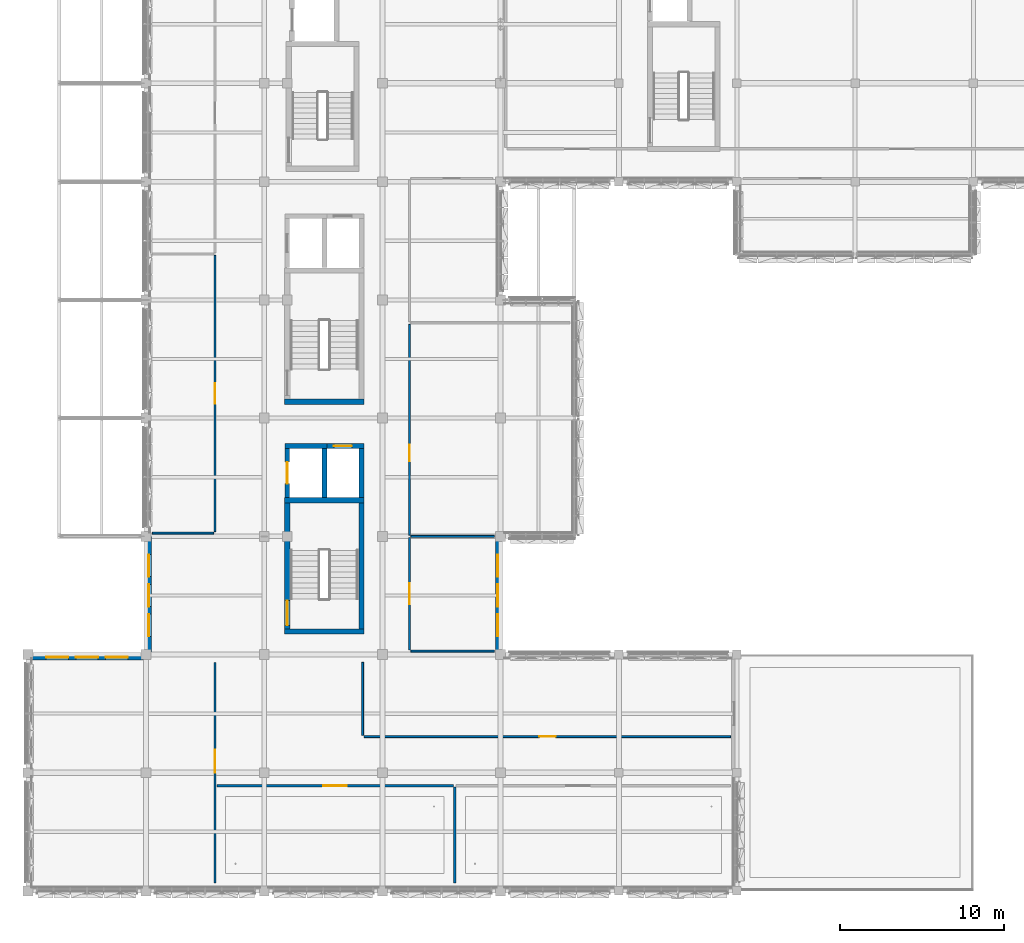
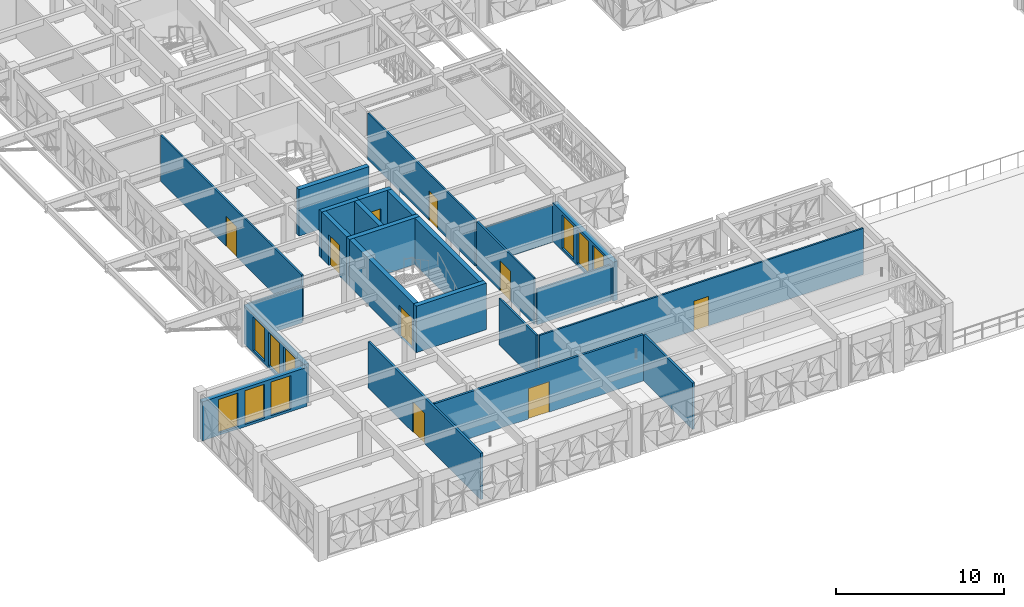
# One storey, part 50 of 99: 24 walls, 9 doors, 9 windows, 18 openings.
"""IFC4 building model written with IfcOpenShell, lengths in metres."""

from ifc_helpers import new_model, si_unit, direction, frame, frame_2d, origin, place, context, subcontext, project, spatial, rectangle, extrude, material, layer, layer_set, type_object, element, fill, save


model = new_model("IFC4")

# Units and contexts
model_context = context("Model", 3, precision=1e-05, world=origin(), true_north=direction((0.0, 1.0)))
body_context = subcontext(model_context, "Body", "Model", "MODEL_VIEW")
ifc_project = project(units=[si_unit("LENGTHUNIT", "METRE"), si_unit("AREAUNIT", "SQUARE_METRE"), si_unit("VOLUMEUNIT", "CUBIC_METRE"), si_unit("PLANEANGLEUNIT", "RADIAN"), si_unit("MASSUNIT", "GRAM", prefix="KILO")], contexts=[model_context])

# Site, building, storey
site_placement = place(None, origin())
site = spatial("IfcSite", under=ifc_project, at=site_placement, CompositionType="ELEMENT")
building_placement = place(site_placement, origin())
building = spatial("IfcBuilding", under=site, at=building_placement, Name="Alvorim Cloister Faculty of Sciences", CompositionType="ELEMENT")
storey_placement = place(building_placement, frame((0.0, 0.0, 12.14990234375)))
storey = spatial("IfcBuildingStorey", under=building, at=storey_placement, Name="L03", CompositionType="ELEMENT", Elevation=12.14990234375)

# Wall, openings, windows
ifc_material_1 = material(Name="Precast Concrete C40", Category="concrete")
ifc_layer_1 = layer(ifc_material_1, 0.320068359375)
ifc_layer_set_1 = layer_set([ifc_layer_1], Name="Precast Concrete C40")
wall_type_1 = type_object("IfcWallType", Name="WL-EXT-PC-320", PredefinedType="SOLIDWALL", material=ifc_layer_set_1)
wall_1_placement = place(storey_placement, frame((7.360107421875, 14.39990234375, 0.0), z_axis=(0.0, 0.0, 1.0), x_axis=(0.0, 1.0, 0.0)))
wall_1 = element("IfcWall", 1, at=wall_1_placement, inside=storey, type_object=wall_type_1, Name="L03 Exterior Wall WL-0192", PredefinedType="SOLIDWALL", context=body_context, shape_type="SweptSolid", body=[
    extrude(rectangle(XDim=7.2001953125, YDim=0.320068359375, at=frame_2d((3.60009765625, 0.0))), origin(), (0.0, 0.0, 1.0), 2.840087890625),
])
opening_1_placement = place(wall_1_placement, frame((1.112548828125, 0.0, 0.179931640625)))
opening_1 = element("IfcOpeningElement", 2, at=opening_1_placement, cuts=wall_1, Name="Opening W-18", PredefinedType="OPENING", context=body_context, shape_type="SweptSolid", body=[
    extrude(rectangle(XDim=1.35009765625, YDim=2.449951171875, at=frame_2d((0.675048828125, 1.22509765625))), frame((0.0, 0.171875, 0.0), z_axis=(0.0, -1.0, 0.0), x_axis=(1.0, 0.0, 0.0)), (0.0, 0.0, 1.0), 0.343994140625),
])
opening_2_placement = place(wall_1_placement, frame((2.925048828125, 0.0, 0.179931640625)))
opening_2 = element("IfcOpeningElement", 3, at=opening_2_placement, cuts=wall_1, Name="Opening W-18", PredefinedType="OPENING", context=body_context, shape_type="SweptSolid", body=[
    extrude(rectangle(XDim=1.35009765625, YDim=2.449951171875, at=frame_2d((0.675048828125, 1.22509765625))), frame((0.0, 0.171875, 0.0), z_axis=(0.0, -1.0, 0.0), x_axis=(1.0, 0.0, 0.0)), (0.0, 0.0, 1.0), 0.343994140625),
])
opening_3_placement = place(wall_1_placement, frame((4.737548828125, 0.0, 0.179931640625)))
opening_3 = element("IfcOpeningElement", 4, at=opening_3_placement, cuts=wall_1, Name="Opening W-18", PredefinedType="OPENING", context=body_context, shape_type="SweptSolid", body=[
    extrude(rectangle(XDim=1.35009765625, YDim=2.449951171875, at=frame_2d((0.675048828125, 1.22509765625))), frame((0.0, 0.171875, 0.0), z_axis=(0.0, -1.0, 0.0), x_axis=(1.0, 0.0, 0.0)), (0.0, 0.0, 1.0), 0.343994140625),
])
ifc_material_2 = material(Name="Double Low-E Laminated Glass", Category="glass")
window_type = type_object("IfcWindowType", Name="WN-LAB-1350x2450", PartitioningType="SINGLE_PANEL", PredefinedType="WINDOW", material=ifc_material_2)
window_1_placement = place(opening_1_placement, origin())
window_1 = element("IfcWindow", 5, at=window_1_placement, inside=storey, type_object=window_type, Name="L03 Full-Height Entrance Atrium Glazed Bay WN-0236", OverallHeight=2.449951171875, OverallWidth=1.35009765625, PartitioningType="SINGLE_PANEL", PredefinedType="WINDOW", context=body_context, shape_type="SweptSolid", body=[
    extrude(rectangle(XDim=1.35009765625, YDim=2.449951171875, at=frame_2d((0.675048828125, 1.22509765625))), frame((0.0, 0.030029296875, 0.0), z_axis=(0.0, -1.0, 0.0), x_axis=(1.0, 0.0, 0.0)), (0.0, 0.0, 1.0), 0.06005859375),
])
fill(opening_1, window_1)
window_2_placement = place(opening_2_placement, origin())
window_2 = element("IfcWindow", 6, at=window_2_placement, inside=storey, type_object=window_type, Name="L03 Full-Height Entrance Atrium Glazed Bay WN-0237", OverallHeight=2.449951171875, OverallWidth=1.35009765625, PartitioningType="SINGLE_PANEL", PredefinedType="WINDOW", context=body_context, shape_type="SweptSolid", body=[
    extrude(rectangle(XDim=1.35009765625, YDim=2.449951171875, at=frame_2d((0.675048828125, 1.22509765625))), frame((0.0, 0.030029296875, 0.0), z_axis=(0.0, -1.0, 0.0), x_axis=(1.0, 0.0, 0.0)), (0.0, 0.0, 1.0), 0.06005859375),
])
fill(opening_2, window_2)
window_3_placement = place(opening_3_placement, origin())
window_3 = element("IfcWindow", 7, at=window_3_placement, inside=storey, type_object=window_type, Name="L03 Full-Height Entrance Atrium Glazed Bay WN-0238", OverallHeight=2.449951171875, OverallWidth=1.35009765625, PartitioningType="SINGLE_PANEL", PredefinedType="WINDOW", context=body_context, shape_type="SweptSolid", body=[
    extrude(rectangle(XDim=1.35009765625, YDim=2.449951171875, at=frame_2d((0.675048828125, 1.22509765625))), frame((0.0, 0.030029296875, 0.0), z_axis=(0.0, -1.0, 0.0), x_axis=(1.0, 0.0, 0.0)), (0.0, 0.0, 1.0), 0.06005859375),
])
fill(opening_3, window_3)

wall_2_placement = place(storey_placement, frame((28.639892578125, 14.39990234375, 0.0), z_axis=(0.0, 0.0, 1.0), x_axis=(0.0, 1.0, 0.0)))
wall_2 = element("IfcWall", 8, at=wall_2_placement, inside=storey, type_object=wall_type_1, Name="L03 Exterior Wall WL-0194", PredefinedType="SOLIDWALL", context=body_context, shape_type="SweptSolid", body=[
    extrude(rectangle(XDim=7.2001953125, YDim=0.320068359375, at=frame_2d((3.60009765625, 0.0))), origin(), (0.0, 0.0, 1.0), 2.840087890625),
])
opening_4_placement = place(wall_2_placement, frame((1.112548828125, 0.0, 0.179931640625)))
opening_4 = element("IfcOpeningElement", 9, at=opening_4_placement, cuts=wall_2, Name="Opening W-18", PredefinedType="OPENING", context=body_context, shape_type="SweptSolid", body=[
    extrude(rectangle(XDim=1.35009765625, YDim=2.449951171875, at=frame_2d((0.675048828125, 1.22509765625))), frame((0.0, 0.171875, 0.0), z_axis=(0.0, -1.0, 0.0), x_axis=(1.0, 0.0, 0.0)), (0.0, 0.0, 1.0), 0.343994140625),
])
opening_5_placement = place(wall_2_placement, frame((2.925048828125, 0.0, 0.179931640625)))
opening_5 = element("IfcOpeningElement", 10, at=opening_5_placement, cuts=wall_2, Name="Opening W-18", PredefinedType="OPENING", context=body_context, shape_type="SweptSolid", body=[
    extrude(rectangle(XDim=1.35009765625, YDim=2.449951171875, at=frame_2d((0.675048828125, 1.22509765625))), frame((0.0, 0.171875, 0.0), z_axis=(0.0, -1.0, 0.0), x_axis=(1.0, 0.0, 0.0)), (0.0, 0.0, 1.0), 0.343994140625),
])
opening_6_placement = place(wall_2_placement, frame((4.737548828125, 0.0, 0.179931640625)))
opening_6 = element("IfcOpeningElement", 11, at=opening_6_placement, cuts=wall_2, Name="Opening W-18", PredefinedType="OPENING", context=body_context, shape_type="SweptSolid", body=[
    extrude(rectangle(XDim=1.35009765625, YDim=2.449951171875, at=frame_2d((0.675048828125, 1.22509765625))), frame((0.0, 0.171875, 0.0), z_axis=(0.0, -1.0, 0.0), x_axis=(1.0, 0.0, 0.0)), (0.0, 0.0, 1.0), 0.343994140625),
])
window_4_placement = place(opening_4_placement, origin())
window_4 = element("IfcWindow", 12, at=window_4_placement, inside=storey, type_object=window_type, Name="L03 Full-Height Entrance Atrium Glazed Bay WN-0239", OverallHeight=2.449951171875, OverallWidth=1.35009765625, PartitioningType="SINGLE_PANEL", PredefinedType="WINDOW", context=body_context, shape_type="SweptSolid", body=[
    extrude(rectangle(XDim=1.35009765625, YDim=2.449951171875, at=frame_2d((0.675048828125, 1.22509765625))), frame((0.0, 0.030029296875, 0.0), z_axis=(0.0, -1.0, 0.0), x_axis=(1.0, 0.0, 0.0)), (0.0, 0.0, 1.0), 0.06005859375),
])
fill(opening_4, window_4)
window_5_placement = place(opening_5_placement, origin())
window_5 = element("IfcWindow", 13, at=window_5_placement, inside=storey, type_object=window_type, Name="L03 Full-Height Entrance Atrium Glazed Bay WN-0240", OverallHeight=2.449951171875, OverallWidth=1.35009765625, PartitioningType="SINGLE_PANEL", PredefinedType="WINDOW", context=body_context, shape_type="SweptSolid", body=[
    extrude(rectangle(XDim=1.35009765625, YDim=2.449951171875, at=frame_2d((0.675048828125, 1.22509765625))), frame((0.0, 0.030029296875, 0.0), z_axis=(0.0, -1.0, 0.0), x_axis=(1.0, 0.0, 0.0)), (0.0, 0.0, 1.0), 0.06005859375),
])
fill(opening_5, window_5)
window_6_placement = place(opening_6_placement, origin())
window_6 = element("IfcWindow", 14, at=window_6_placement, inside=storey, type_object=window_type, Name="L03 Full-Height Entrance Atrium Glazed Bay WN-0241", OverallHeight=2.449951171875, OverallWidth=1.35009765625, PartitioningType="SINGLE_PANEL", PredefinedType="WINDOW", context=body_context, shape_type="SweptSolid", body=[
    extrude(rectangle(XDim=1.35009765625, YDim=2.449951171875, at=frame_2d((0.675048828125, 1.22509765625))), frame((0.0, 0.030029296875, 0.0), z_axis=(0.0, -1.0, 0.0), x_axis=(1.0, 0.0, 0.0)), (0.0, 0.0, 1.0), 0.06005859375),
])
fill(opening_6, window_6)

wall_3_placement = place(storey_placement, frame((0.0, 14.239990234375, 0.0), z_axis=(0.0, 0.0, 1.0), x_axis=(1.0, 0.0, 0.0)))
wall_3 = element("IfcWall", 15, at=wall_3_placement, inside=storey, type_object=wall_type_1, Name="L03 Exterior Wall WL-0196", PredefinedType="SOLIDWALL", context=body_context, shape_type="SweptSolid", body=[
    extrude(rectangle(XDim=7.199951171875, YDim=0.320068359375, at=frame_2d((3.60009765625, 0.0))), origin(), (0.0, 0.0, 1.0), 2.840087890625),
])
opening_7_placement = place(wall_3_placement, frame((1.112548828125, 0.0, 0.179931640625)))
opening_7 = element("IfcOpeningElement", 16, at=opening_7_placement, cuts=wall_3, Name="Opening W-18", PredefinedType="OPENING", context=body_context, shape_type="SweptSolid", body=[
    extrude(rectangle(XDim=1.35009765625, YDim=2.449951171875, at=frame_2d((0.675048828125, 1.22509765625))), frame((0.0, 0.171875, 0.0), z_axis=(0.0, -1.0, 0.0), x_axis=(1.0, 0.0, 0.0)), (0.0, 0.0, 1.0), 0.343994140625),
])
opening_8_placement = place(wall_3_placement, frame((2.925048828125, 0.0, 0.179931640625)))
opening_8 = element("IfcOpeningElement", 17, at=opening_8_placement, cuts=wall_3, Name="Opening W-18", PredefinedType="OPENING", context=body_context, shape_type="SweptSolid", body=[
    extrude(rectangle(XDim=1.35009765625, YDim=2.449951171875, at=frame_2d((0.675048828125, 1.22509765625))), frame((0.0, 0.171875, 0.0), z_axis=(0.0, -1.0, 0.0), x_axis=(1.0, 0.0, 0.0)), (0.0, 0.0, 1.0), 0.343994140625),
])
opening_9_placement = place(wall_3_placement, frame((4.737548828125, 0.0, 0.179931640625)))
opening_9 = element("IfcOpeningElement", 18, at=opening_9_placement, cuts=wall_3, Name="Opening W-18", PredefinedType="OPENING", context=body_context, shape_type="SweptSolid", body=[
    extrude(rectangle(XDim=1.35009765625, YDim=2.449951171875, at=frame_2d((0.675048828125, 1.22509765625))), frame((0.0, 0.171875, 0.0), z_axis=(0.0, -1.0, 0.0), x_axis=(1.0, 0.0, 0.0)), (0.0, 0.0, 1.0), 0.343994140625),
])
window_7_placement = place(opening_7_placement, origin())
window_7 = element("IfcWindow", 19, at=window_7_placement, inside=storey, type_object=window_type, Name="L03 Full-Height Entrance Atrium Glazed Bay WN-0242", OverallHeight=2.449951171875, OverallWidth=1.35009765625, PartitioningType="SINGLE_PANEL", PredefinedType="WINDOW", context=body_context, shape_type="SweptSolid", body=[
    extrude(rectangle(XDim=1.35009765625, YDim=2.449951171875, at=frame_2d((0.675048828125, 1.22509765625))), frame((0.0, 0.030029296875, 0.0), z_axis=(0.0, -1.0, 0.0), x_axis=(1.0, 0.0, 0.0)), (0.0, 0.0, 1.0), 0.06005859375),
])
fill(opening_7, window_7)
window_8_placement = place(opening_8_placement, origin())
window_8 = element("IfcWindow", 20, at=window_8_placement, inside=storey, type_object=window_type, Name="L03 Full-Height Entrance Atrium Glazed Bay WN-0243", OverallHeight=2.449951171875, OverallWidth=1.35009765625, PartitioningType="SINGLE_PANEL", PredefinedType="WINDOW", context=body_context, shape_type="SweptSolid", body=[
    extrude(rectangle(XDim=1.35009765625, YDim=2.449951171875, at=frame_2d((0.675048828125, 1.22509765625))), frame((0.0, 0.030029296875, 0.0), z_axis=(0.0, -1.0, 0.0), x_axis=(1.0, 0.0, 0.0)), (0.0, 0.0, 1.0), 0.06005859375),
])
fill(opening_8, window_8)
window_9_placement = place(opening_9_placement, origin())
window_9 = element("IfcWindow", 21, at=window_9_placement, inside=storey, type_object=window_type, Name="L03 Full-Height Entrance Atrium Glazed Bay WN-0244", OverallHeight=2.449951171875, OverallWidth=1.35009765625, PartitioningType="SINGLE_PANEL", PredefinedType="WINDOW", context=body_context, shape_type="SweptSolid", body=[
    extrude(rectangle(XDim=1.35009765625, YDim=2.449951171875, at=frame_2d((0.675048828125, 1.22509765625))), frame((0.0, 0.030029296875, 0.0), z_axis=(0.0, -1.0, 0.0), x_axis=(1.0, 0.0, 0.0)), (0.0, 0.0, 1.0), 0.06005859375),
])
fill(opening_9, window_9)

# Wall
ifc_material_3 = material(Name="Acoustic Gypsum Stud Partition", Category="gypsum")
ifc_layer_2 = layer(ifc_material_3, 0.1201171875)
ifc_layer_set_2 = layer_set([ifc_layer_2], Name="Acoustic Gypsum Stud Partition")
wall_type_2 = type_object("IfcWallType", Name="WL-PRT-120", PredefinedType="PARTITIONING", material=ifc_layer_set_2)
wall_4_placement = place(storey_placement, frame((20.39990234375, 9.47998046875, 0.0), z_axis=(0.0, 0.0, 1.0), x_axis=(0.0, 1.0, 0.0)))
element("IfcWall", 22, at=wall_4_placement, inside=storey, type_object=wall_type_2, Name="L03 Principal Investigators Suite South Partition IWL-0581", PredefinedType="PARTITIONING", context=body_context, shape_type="SweptSolid", body=[
    extrude(rectangle(XDim=4.43994140625, YDim=0.1201171875, at=frame_2d((2.219970703125, 0.0))), origin(), (0.0, 0.0, 1.0), 3.375),
])

# Wall, opening, door
wall_5_placement = place(storey_placement, frame((20.47998046875, 9.39990234375, 0.0), z_axis=(0.0, 0.0, 1.0), x_axis=(1.0, 0.0, 0.0)))
wall_5 = element("IfcWall", 23, at=wall_5_placement, inside=storey, type_object=wall_type_2, Name="L03 Principal Investigators Suite South Partition IWL-0582", PredefinedType="PARTITIONING", context=body_context, shape_type="SweptSolid", body=[
    extrude(rectangle(XDim=22.340087890625, YDim=0.1201171875, at=frame_2d((11.169921875, 0.0))), origin(), (0.0, 0.0, 1.0), 3.375),
])
opening_10_placement = place(wall_5_placement, frame((10.669921875, 0.0, 0.0)))
opening_10 = element("IfcOpeningElement", 24, at=opening_10_placement, cuts=wall_5, Name="Opening D-L03-146", PredefinedType="OPENING", context=body_context, shape_type="SweptSolid", body=[
    extrude(rectangle(XDim=1.0, YDim=2.14990234375, at=frame_2d((0.5, 1.074951171875))), frame((0.0, 0.072021484375, 0.0), z_axis=(0.0, -1.0, 0.0), x_axis=(1.0, 0.0, 0.0)), (0.0, 0.0, 1.0), 0.14404296875),
])
ifc_material_4 = material(Name="Solid Acoustic Oak Timber", Category="wood")
door_type_1 = type_object("IfcDoorType", Name="DR-OFF-1000x2150", OperationType="NOTDEFINED", PredefinedType="DOOR", material=ifc_material_4)
door_1_placement = place(opening_10_placement, origin())
door_1 = element("IfcDoor", 25, at=door_1_placement, inside=storey, type_object=door_type_1, Name="Principal Investigators Suite South Door D-L03-146", OperationType="SINGLE_SWING_RIGHT", OverallHeight=2.14990234375, OverallWidth=1.0, PredefinedType="DOOR", context=body_context, shape_type="SweptSolid", body=[
    extrude(rectangle(XDim=1.0, YDim=2.14990234375, at=frame_2d((0.5, 1.074951171875))), frame((0.0, 0.02490234375, 0.0), z_axis=(0.0, -1.0, 0.0), x_axis=(1.0, 0.0, 0.0)), (0.0, 0.0, 1.0), 0.050048828125),
])
fill(opening_10, door_1)

# Wall
wall_6_placement = place(storey_placement, frame((7.580078125, 21.800048828125, 0.0), z_axis=(0.0, 0.0, 1.0), x_axis=(1.0, 0.0, 0.0)))
element("IfcWall", 26, at=wall_6_placement, inside=storey, type_object=wall_type_2, Name="L03 Quantum Chemistry Cluster Studio Partition IWL-0583", PredefinedType="PARTITIONING", context=body_context, shape_type="SweptSolid", body=[
    extrude(rectangle(XDim=3.739990234375, YDim=0.1201171875, at=frame_2d((1.8701171875, 0.0))), origin(), (0.0, 0.0, 1.0), 2.691162109375),
])

# Wall, opening, door
wall_7_placement = place(storey_placement, frame((11.39990234375, 21.8798828125, 0.0), z_axis=(0.0, 0.0, 1.0), x_axis=(0.0, 1.0, 0.0)))
wall_7 = element("IfcWall", 27, at=wall_7_placement, inside=storey, type_object=wall_type_2, Name="L03 Quantum Chemistry Cluster Studio Partition IWL-0584", PredefinedType="PARTITIONING", context=body_context, shape_type="SweptSolid", body=[
    extrude(rectangle(XDim=16.840087890625, YDim=0.1201171875, at=frame_2d((8.419921875, 0.0))), origin(), (0.0, 0.0, 1.0), 3.375),
])
opening_11_placement = place(wall_7_placement, frame((7.7900390625, 0.0, 0.0)))
opening_11 = element("IfcOpeningElement", 28, at=opening_11_placement, cuts=wall_7, Name="Opening D-L03-147", PredefinedType="OPENING", context=body_context, shape_type="SweptSolid", body=[
    extrude(rectangle(XDim=1.260009765625, YDim=2.179931640625, at=frame_2d((0.6298828125, 1.08984375))), frame((0.0, 0.072021484375, 0.0), z_axis=(0.0, -1.0, 0.0), x_axis=(1.0, 0.0, 0.0)), (0.0, 0.0, 1.0), 0.14404296875),
])
door_type_2 = type_object("IfcDoorType", Name="DR-SEM-1260x2180", OperationType="NOTDEFINED", PredefinedType="DOOR", material=ifc_material_4)
door_2_placement = place(opening_11_placement, origin())
door_2 = element("IfcDoor", 29, at=door_2_placement, inside=storey, type_object=door_type_2, Name="Quantum Chemistry Cluster Studio Door D-L03-147", OperationType="SINGLE_SWING_LEFT", OverallHeight=2.179931640625, OverallWidth=1.260009765625, PredefinedType="DOOR", context=body_context, shape_type="SweptSolid", body=[
    extrude(rectangle(XDim=1.260009765625, YDim=2.179931640625, at=frame_2d((0.6298828125, 1.08984375))), frame((0.0, 0.02490234375, 0.0), z_axis=(0.0, -1.0, 0.0), x_axis=(1.0, 0.0, 0.0)), (0.0, 0.0, 1.0), 0.050048828125),
])
fill(opening_11, door_2)

wall_8_placement = place(storey_placement, frame((23.25, 14.679931640625, 0.0), z_axis=(0.0, 0.0, 1.0), x_axis=(0.0, 1.0, 0.0)))
wall_8 = element("IfcWall", 30, at=wall_8_placement, inside=storey, type_object=wall_type_2, Name="L03 Atrium East Seminar 303 Partition IWL-0588", PredefinedType="PARTITIONING", context=body_context, shape_type="SweptSolid", body=[
    extrude(rectangle(XDim=6.840087890625, YDim=0.1201171875, at=frame_2d((3.419921875, 0.0))), origin(), (0.0, 0.0, 1.0), 3.375),
])
opening_12_placement = place(wall_8_placement, frame((2.7900390625, 0.0, 0.0)))
opening_12 = element("IfcOpeningElement", 31, at=opening_12_placement, cuts=wall_8, Name="Opening D-L03-149", PredefinedType="OPENING", context=body_context, shape_type="SweptSolid", body=[
    extrude(rectangle(XDim=1.260009765625, YDim=2.179931640625, at=frame_2d((0.6298828125, 1.08984375))), frame((0.0, 0.072021484375, 0.0), z_axis=(0.0, -1.0, 0.0), x_axis=(1.0, 0.0, 0.0)), (0.0, 0.0, 1.0), 0.14404296875),
])
door_3_placement = place(opening_12_placement, origin())
door_3 = element("IfcDoor", 32, at=door_3_placement, inside=storey, type_object=door_type_2, Name="Atrium East Seminar 303 Door D-L03-149", OperationType="SINGLE_SWING_LEFT", OverallHeight=2.179931640625, OverallWidth=1.260009765625, PredefinedType="DOOR", context=body_context, shape_type="SweptSolid", body=[
    extrude(rectangle(XDim=1.260009765625, YDim=2.179931640625, at=frame_2d((0.6298828125, 1.08984375))), frame((0.0, 0.02490234375, 0.0), z_axis=(0.0, -1.0, 0.0), x_axis=(1.0, 0.0, 0.0)), (0.0, 0.0, 1.0), 0.050048828125),
])
fill(opening_12, door_3)

# Walls
wall_9_placement = place(storey_placement, frame((23.330078125, 14.60009765625, 0.0), z_axis=(0.0, 0.0, 1.0), x_axis=(1.0, 0.0, 0.0)))
element("IfcWall", 33, at=wall_9_placement, inside=storey, type_object=wall_type_2, Name="L03 Atrium East Seminar 303 Partition IWL-0589", PredefinedType="PARTITIONING", context=body_context, shape_type="SweptSolid", body=[
    extrude(rectangle(XDim=5.08984375, YDim=0.1201171875, at=frame_2d((2.544921875, 0.0))), origin(), (0.0, 0.0, 1.0), 2.59521484375),
])
wall_10_placement = place(storey_placement, frame((23.330078125, 21.60009765625, 0.0), z_axis=(0.0, 0.0, 1.0), x_axis=(1.0, 0.0, 0.0)))
element("IfcWall", 34, at=wall_10_placement, inside=storey, type_object=wall_type_2, Name="L03 Atrium East Seminar 303 Partition IWL-0590", PredefinedType="PARTITIONING", context=body_context, shape_type="SweptSolid", body=[
    extrude(rectangle(XDim=5.08984375, YDim=0.1201171875, at=frame_2d((2.544921875, 0.0))), origin(), (0.0, 0.0, 1.0), 2.691162109375),
])

# Wall, opening, door
wall_11_placement = place(storey_placement, frame((23.25, 21.679931640625, 0.0), z_axis=(0.0, 0.0, 1.0), x_axis=(0.0, 1.0, 0.0)))
wall_11 = element("IfcWall", 35, at=wall_11_placement, inside=storey, type_object=wall_type_2, Name="L03 East Cantilevered Postdoctoral Studio Partition IWL-0591", PredefinedType="PARTITIONING", context=body_context, shape_type="SweptSolid", body=[
    extrude(rectangle(XDim=12.840087890625, YDim=0.1201171875, at=frame_2d((6.419921875, 0.0))), origin(), (0.0, 0.0, 1.0), 3.375),
])
opening_13_placement = place(wall_11_placement, frame((4.4951171875, 0.0, 0.0)))
opening_13 = element("IfcOpeningElement", 36, at=opening_13_placement, cuts=wall_11, Name="Opening D-L03-150", PredefinedType="OPENING", context=body_context, shape_type="SweptSolid", body=[
    extrude(rectangle(XDim=1.0, YDim=2.14990234375, at=frame_2d((0.5, 1.074951171875))), frame((0.0, 0.072021484375, 0.0), z_axis=(0.0, -1.0, 0.0), x_axis=(1.0, 0.0, 0.0)), (0.0, 0.0, 1.0), 0.14404296875),
])
door_4_placement = place(opening_13_placement, origin())
door_4 = element("IfcDoor", 37, at=door_4_placement, inside=storey, type_object=door_type_1, Name="East Cantilevered Postdoctoral Studio Door D-L03-150", OperationType="SINGLE_SWING_RIGHT", OverallHeight=2.14990234375, OverallWidth=1.0, PredefinedType="DOOR", context=body_context, shape_type="SweptSolid", body=[
    extrude(rectangle(XDim=1.0, YDim=2.14990234375, at=frame_2d((0.5, 1.074951171875))), frame((0.0, 0.02490234375, 0.0), z_axis=(0.0, -1.0, 0.0), x_axis=(1.0, 0.0, 0.0)), (0.0, 0.0, 1.0), 0.050048828125),
])
fill(opening_13, door_4)

ifc_material_5 = material(Name="Gypsum Fireboard Stud Partition", Category="gypsum")
ifc_layer_3 = layer(ifc_material_5, 0.14990234375)
ifc_layer_set_3 = layer_set([ifc_layer_3], Name="Gypsum Fireboard Stud Partition")
wall_type_3 = type_object("IfcWallType", Name="WL-PRT-150", PredefinedType="PARTITIONING", material=ifc_layer_set_3)
wall_12_placement = place(storey_placement, frame((11.39990234375, 0.47998046875, 0.0), z_axis=(0.0, 0.0, 1.0), x_axis=(0.0, 1.0, 0.0)))
wall_12 = element("IfcWall", 38, at=wall_12_placement, inside=storey, type_object=wall_type_3, Name="L03 Materials Characterisation Lab Partition IWL-0577", PredefinedType="PARTITIONING", context=body_context, shape_type="SweptSolid", body=[
    extrude(rectangle(XDim=13.43994140625, YDim=0.14990234375, at=frame_2d((6.719970703125, 0.0))), origin(), (0.0, 0.0, 1.0), 3.375),
])
opening_14_placement = place(wall_12_placement, frame((6.7099609375, 0.0, 0.0)))
opening_14 = element("IfcOpeningElement", 39, at=opening_14_placement, cuts=wall_12, Name="Opening D-L03-143", PredefinedType="OPENING", context=body_context, shape_type="SweptSolid", body=[
    extrude(rectangle(XDim=1.419921875, YDim=2.219970703125, at=frame_2d((0.7099609375, 1.10986328125))), frame((0.0, 0.0869140625, 0.0), z_axis=(0.0, -1.0, 0.0), x_axis=(1.0, 0.0, 0.0)), (0.0, 0.0, 1.0), 0.173828125),
])
ifc_material_6 = material(Name="Fire-Rated Laminate Timber", Category="wood")
door_type_3 = type_object("IfcDoorType", Name="DR-LAB-1420x2220", OperationType="NOTDEFINED", PredefinedType="DOOR", material=ifc_material_6)
door_5_placement = place(opening_14_placement, origin())
door_5 = element("IfcDoor", 40, at=door_5_placement, inside=storey, type_object=door_type_3, Name="Materials Characterisation Lab Door D-L03-143", OperationType="SINGLE_SWING_LEFT", OverallHeight=2.219970703125, OverallWidth=1.419921875, PredefinedType="DOOR", context=body_context, shape_type="SweptSolid", body=[
    extrude(rectangle(XDim=1.419921875, YDim=2.219970703125, at=frame_2d((0.7099609375, 1.10986328125))), frame((0.0, 0.02490234375, 0.0), z_axis=(0.0, -1.0, 0.0), x_axis=(1.0, 0.0, 0.0)), (0.0, 0.0, 1.0), 0.050048828125),
])
fill(opening_14, door_5)

# Wall
wall_13_placement = place(storey_placement, frame((26.0, 0.47998046875, 0.0), z_axis=(0.0, 0.0, 1.0), x_axis=(0.0, 1.0, 0.0)))
element("IfcWall", 41, at=wall_13_placement, inside=storey, type_object=wall_type_3, Name="L03 X-Ray Diffraction Suite Partition IWL-0578", PredefinedType="PARTITIONING", context=body_context, shape_type="SweptSolid", body=[
    extrude(rectangle(XDim=5.840087890625, YDim=0.14990234375, at=frame_2d((2.919921875, 0.0))), origin(), (0.0, 0.0, 1.0), 3.375),
])

# Wall, opening, door
wall_14_placement = place(storey_placement, frame((11.514892578125, 6.39990234375, 0.0), z_axis=(0.0, 0.0, 1.0), x_axis=(1.0, 0.0, 0.0)))
wall_14 = element("IfcWall", 42, at=wall_14_placement, inside=storey, type_object=wall_type_3, Name="L03 X-Ray Diffraction Suite Partition IWL-0579", PredefinedType="PARTITIONING", context=body_context, shape_type="SweptSolid", body=[
    extrude(rectangle(XDim=14.405029296875, YDim=0.14990234375, at=frame_2d((7.20263671875, 0.0))), origin(), (0.0, 0.0, 1.0), 3.375),
])
opening_15_placement = place(wall_14_placement, frame((6.492431640625, 0.0, 0.0)))
opening_15 = element("IfcOpeningElement", 43, at=opening_15_placement, cuts=wall_14, Name="Opening D-L03-144", PredefinedType="OPENING", context=body_context, shape_type="SweptSolid", body=[
    extrude(rectangle(XDim=1.419921875, YDim=2.219970703125, at=frame_2d((0.7099609375, 1.10986328125))), frame((0.0, 0.0869140625, 0.0), z_axis=(0.0, -1.0, 0.0), x_axis=(1.0, 0.0, 0.0)), (0.0, 0.0, 1.0), 0.173828125),
])
door_6_placement = place(opening_15_placement, origin())
door_6 = element("IfcDoor", 44, at=door_6_placement, inside=storey, type_object=door_type_3, Name="X-Ray Diffraction Suite Door D-L03-144", OperationType="SINGLE_SWING_RIGHT", OverallHeight=2.219970703125, OverallWidth=1.419921875, PredefinedType="DOOR", context=body_context, shape_type="SweptSolid", body=[
    extrude(rectangle(XDim=1.419921875, YDim=2.219970703125, at=frame_2d((0.7099609375, 1.10986328125))), frame((0.0, 0.02490234375, 0.0), z_axis=(0.0, -1.0, 0.0), x_axis=(1.0, 0.0, 0.0)), (0.0, 0.0, 1.0), 0.050048828125),
])
fill(opening_15, door_6)

# Wall
ifc_material_7 = material(Name="Concrete C40", Category="concrete")
ifc_layer_4 = layer(ifc_material_7, 0.300048828125)
ifc_layer_set_4 = layer_set([ifc_layer_4], Name="Concrete C40")
wall_type_4 = type_object("IfcWallType", Name="WL-SHR-300", PredefinedType="SHEAR", material=ifc_layer_set_4)
wall_15_placement = place(storey_placement, frame((15.64990234375, 27.10009765625, 0.0), z_axis=(0.0, 0.0, 1.0), x_axis=(1.0, 0.0, 0.0)))
element("IfcWall", 45, at=wall_15_placement, inside=storey, type_object=wall_type_4, Name="L03 Lift LF-01 Shaft Wall IWL-0245", PredefinedType="SHEAR", context=body_context, shape_type="SweptSolid", body=[
    extrude(rectangle(XDim=2.56005859375, YDim=0.300048828125, at=frame_2d((1.280029296875, 0.0))), origin(), (0.0, 0.0, 1.0), 3.39013671875),
])

# Wall, opening, door
wall_16_placement = place(storey_placement, frame((15.800048828125, 23.97998046875, 0.0), z_axis=(0.0, 0.0, 1.0), x_axis=(0.0, 1.0, 0.0)))
wall_16 = element("IfcWall", 46, at=wall_16_placement, inside=storey, type_object=wall_type_4, Name="L03 Lift LF-01 Shaft Wall IWL-0246", PredefinedType="SHEAR", context=body_context, shape_type="SweptSolid", body=[
    extrude(rectangle(XDim=2.969970703125, YDim=0.300048828125, at=frame_2d((1.48486328125, 0.0))), origin(), (0.0, 0.0, 1.0), 3.39013671875),
])
opening_16_placement = place(wall_16_placement, frame((0.8349609375, 0.0, 0.0)))
opening_16 = element("IfcOpeningElement", 47, at=opening_16_placement, cuts=wall_16, Name="Opening LD-005", PredefinedType="OPENING", context=body_context, shape_type="SweptSolid", body=[
    extrude(rectangle(XDim=1.300048828125, YDim=2.25, at=frame_2d((0.64990234375, 1.125))), frame((0.0, 0.162109375, 0.0), z_axis=(0.0, -1.0, 0.0), x_axis=(1.0, 0.0, 0.0)), (0.0, 0.0, 1.0), 0.323974609375),
])
ifc_material_8 = material(Name="Brushed Stainless Steel", Category="steel")
door_type_4 = type_object("IfcDoorType", Name="DR-LFT-1300x2250", OperationType="NOTDEFINED", PredefinedType="DOOR", material=ifc_material_8)
door_7_placement = place(opening_16_placement, origin())
door_7 = element("IfcDoor", 48, at=door_7_placement, inside=storey, type_object=door_type_4, Name="L03 Lift LF-01 Sliding Landing Door LD-005", OperationType="DOUBLE_DOOR_SLIDING", OverallHeight=2.25, OverallWidth=1.300048828125, PredefinedType="DOOR", context=body_context, shape_type="SweptSolid", body=[
    extrude(rectangle(XDim=1.300048828125, YDim=2.25, at=frame_2d((0.64990234375, 1.125))), frame((0.0, 0.02490234375, 0.0), z_axis=(0.0, -1.0, 0.0), x_axis=(1.0, 0.0, 0.0)), (0.0, 0.0, 1.0), 0.050048828125),
])
fill(opening_16, door_7)

# Wall
wall_17_placement = place(storey_placement, frame((18.06005859375, 23.97998046875, 0.0), z_axis=(0.0, 0.0, 1.0), x_axis=(0.0, 1.0, 0.0)))
element("IfcWall", 49, at=wall_17_placement, inside=storey, type_object=wall_type_4, Name="L03 Lift LF-01 Shaft Wall IWL-0247", PredefinedType="SHEAR", context=body_context, shape_type="SweptSolid", body=[
    extrude(rectangle(XDim=2.969970703125, YDim=0.300048828125, at=frame_2d((1.48486328125, 0.0))), origin(), (0.0, 0.0, 1.0), 3.39013671875),
])

# Wall, opening, door
wall_18_placement = place(storey_placement, frame((17.909912109375, 27.10009765625, 0.0), z_axis=(0.0, 0.0, 1.0), x_axis=(1.0, 0.0, 0.0)))
wall_18 = element("IfcWall", 50, at=wall_18_placement, inside=storey, type_object=wall_type_4, Name="L03 Lift LP-01 Shaft Wall IWL-0274", PredefinedType="SHEAR", context=body_context, shape_type="SweptSolid", body=[
    extrude(rectangle(XDim=2.56005859375, YDim=0.300048828125, at=frame_2d((1.280029296875, 0.0))), origin(), (0.0, 0.0, 1.0), 3.39013671875),
])
opening_17_placement = place(wall_18_placement, frame((0.72998046875, 0.0, 0.0)))
opening_17 = element("IfcOpeningElement", 51, at=opening_17_placement, cuts=wall_18, Name="Opening LD-016", PredefinedType="OPENING", context=body_context, shape_type="SweptSolid", body=[
    extrude(rectangle(XDim=1.10009765625, YDim=2.199951171875, at=frame_2d((0.550048828125, 1.10009765625))), frame((0.0, 0.162109375, 0.0), z_axis=(0.0, -1.0, 0.0), x_axis=(1.0, 0.0, 0.0)), (0.0, 0.0, 1.0), 0.323974609375),
])
door_type_5 = type_object("IfcDoorType", Name="DR-LFT-1100x2200", OperationType="NOTDEFINED", PredefinedType="DOOR", material=ifc_material_8)
door_8_placement = place(opening_17_placement, origin())
door_8 = element("IfcDoor", 52, at=door_8_placement, inside=storey, type_object=door_type_5, Name="L03 Lift LP-01 Sliding Landing Door LD-016", OperationType="DOUBLE_DOOR_SLIDING", OverallHeight=2.199951171875, OverallWidth=1.10009765625, PredefinedType="DOOR", context=body_context, shape_type="SweptSolid", body=[
    extrude(rectangle(XDim=1.10009765625, YDim=2.199951171875, at=frame_2d((0.550048828125, 1.10009765625))), frame((0.0, 0.02490234375, 0.0), z_axis=(0.0, -1.0, 0.0), x_axis=(1.0, 0.0, 0.0)), (0.0, 0.0, 1.0), 0.050048828125),
])
fill(opening_17, door_8)

# Walls
wall_19_placement = place(storey_placement, frame((20.320068359375, 23.97998046875, 0.0), z_axis=(0.0, 0.0, 1.0), x_axis=(0.0, 1.0, 0.0)))
element("IfcWall", 53, at=wall_19_placement, inside=storey, type_object=wall_type_4, Name="L03 Lift LP-01 Shaft Wall IWL-0275", PredefinedType="SHEAR", context=body_context, shape_type="SweptSolid", body=[
    extrude(rectangle(XDim=2.969970703125, YDim=0.300048828125, at=frame_2d((1.48486328125, 0.0))), origin(), (0.0, 0.0, 1.0), 3.39013671875),
])
ifc_layer_5 = layer(ifc_material_7, 0.320068359375)
ifc_layer_set_5 = layer_set([ifc_layer_5], Name="Concrete C40")
wall_type_5 = type_object("IfcWallType", Name="WL-SHR-320", PredefinedType="SHEAR", material=ifc_layer_set_5)
for number, where, z_axis, x_axis, name in (
    (54, (15.639892578125, 15.800048828125, 0.0), (0.0, 0.0, 1.0), (1.0, 0.0, 0.0), "L03 CORE K1 Shear Wall IWL-0017"),
    (55, (15.639892578125, 23.800048828125, 0.0), (0.0, 0.0, 1.0), (1.0, 0.0, 0.0), "L03 CORE K1 Shear Wall IWL-0018"),
):
    element("IfcWall", number, at=place(storey_placement, frame(where, z_axis=z_axis, x_axis=x_axis)), inside=storey, type_object=wall_type_5, Name=name, PredefinedType="SHEAR", context=body_context, shape_type="SweptSolid", body=[
        extrude(rectangle(XDim=4.840087890625, YDim=0.320068359375, at=frame_2d((2.419921875, 0.0))), origin(), (0.0, 0.0, 1.0), 3.39013671875),
    ])

# Wall, opening, door
wall_20_placement = place(storey_placement, frame((15.800048828125, 15.9599609375, 0.0), z_axis=(0.0, 0.0, 1.0), x_axis=(0.0, 1.0, 0.0)))
wall_20 = element("IfcWall", 56, at=wall_20_placement, inside=storey, type_object=wall_type_5, Name="L03 CORE K1 Shear Wall IWL-0019", PredefinedType="SHEAR", context=body_context, shape_type="SweptSolid", body=[
    extrude(rectangle(XDim=7.679931640625, YDim=0.320068359375, at=frame_2d((3.83984375, 0.0))), origin(), (0.0, 0.0, 1.0), 3.39013671875),
])
opening_18_placement = place(wall_20_placement, frame((0.219970703125, 0.0, 0.0)))
opening_18 = element("IfcOpeningElement", 57, at=opening_18_placement, cuts=wall_20, Name="Opening SD-K1-L03", PredefinedType="OPENING", context=body_context, shape_type="SweptSolid", body=[
    extrude(rectangle(XDim=1.5, YDim=2.199951171875, at=frame_2d((0.75, 1.10009765625))), frame((0.0, 0.171875, 0.0), z_axis=(0.0, -1.0, 0.0), x_axis=(1.0, 0.0, 0.0)), (0.0, 0.0, 1.0), 0.343994140625),
])
ifc_material_9 = material(Name="Galvanised Fire-Rated Steel", Category="steel")
door_type_6 = type_object("IfcDoorType", Name="DR-STR-1500x2200", OperationType="NOTDEFINED", PredefinedType="DOOR", material=ifc_material_9)
door_9_placement = place(opening_18_placement, origin())
door_9 = element("IfcDoor", 58, at=door_9_placement, inside=storey, type_object=door_type_6, Name="L03 Stair ST-01 Fire Door SD-K1-L03", OperationType="DOUBLE_DOOR_SINGLE_SWING", OverallHeight=2.199951171875, OverallWidth=1.5, PredefinedType="DOOR", context=body_context, shape_type="SweptSolid", body=[
    extrude(rectangle(XDim=1.5, YDim=2.199951171875, at=frame_2d((0.75, 1.10009765625))), frame((0.0, 0.02490234375, 0.0), z_axis=(0.0, -1.0, 0.0), x_axis=(1.0, 0.0, 0.0)), (0.0, 0.0, 1.0), 0.050048828125),
])
fill(opening_18, door_9)

# Walls
wall_21_placement = place(storey_placement, frame((20.320068359375, 15.9599609375, 0.0), z_axis=(0.0, 0.0, 1.0), x_axis=(0.0, 1.0, 0.0)))
element("IfcWall", 59, at=wall_21_placement, inside=storey, type_object=wall_type_5, Name="L03 CORE K1 Shear Wall IWL-0020", PredefinedType="SHEAR", context=body_context, shape_type="SweptSolid", body=[
    extrude(rectangle(XDim=7.679931640625, YDim=0.320068359375, at=frame_2d((3.83984375, 0.0))), origin(), (0.0, 0.0, 1.0), 3.39013671875),
])
wall_22_placement = place(storey_placement, frame((15.639892578125, 29.800048828125, 0.0), z_axis=(0.0, 0.0, 1.0), x_axis=(1.0, 0.0, 0.0)))
element("IfcWall", 60, at=wall_22_placement, inside=storey, type_object=wall_type_5, Name="L03 CORE K2 Shear Wall IWL-0061", PredefinedType="SHEAR", context=body_context, shape_type="SweptSolid", body=[
    extrude(rectangle(XDim=4.840087890625, YDim=0.320068359375, at=frame_2d((2.419921875, 0.0))), origin(), (0.0, 0.0, 1.0), 3.39013671875),
])

save(model, "model.ifc")
